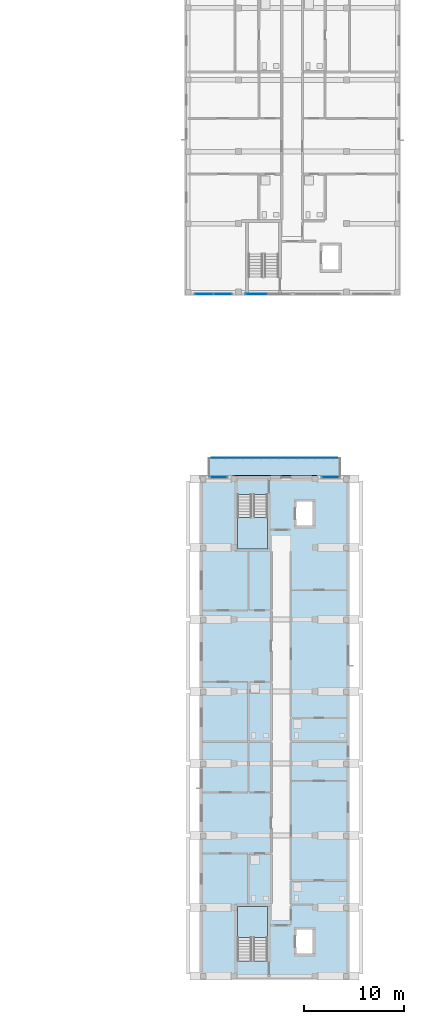
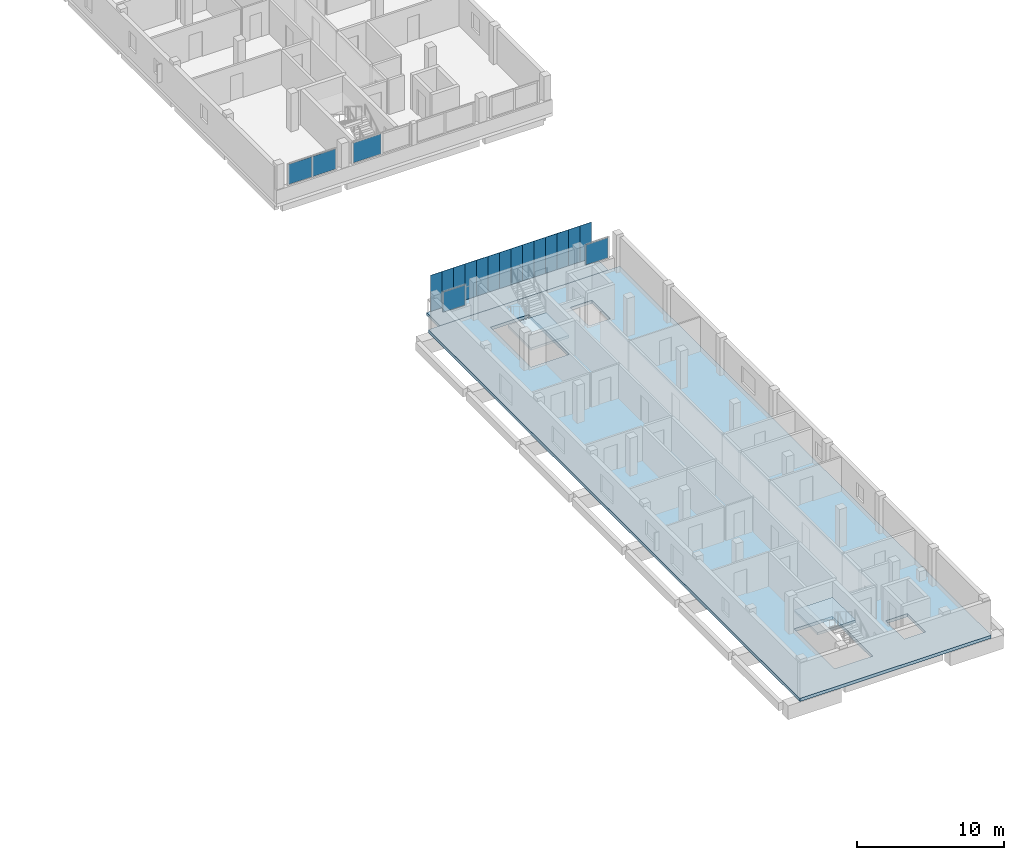
# One storey, part 11 of 38: 19 plates, 4 slabs, 6 elements without a shape of their own.
"""IFC4 building model written with IfcOpenShell, lengths in metres."""

from ifc_helpers import new_model, si_unit, derived_unit, direction, frame, origin, origin_2d, place, context, subcontext, project, spatial, polyline, rectangle, outline, extrude, material, layer, layer_set, type_object, element, aggregate, save


model = new_model("IFC4")

# Units and contexts
model_context = context("Model", 3, precision=1e-05, world=origin(), true_north=direction((0.0, 1.0)))
body_context = subcontext(model_context, "Body", "Model", "MODEL_VIEW")
ifc_project = project(units=[si_unit("LENGTHUNIT", "METRE"), si_unit("AREAUNIT", "SQUARE_METRE"), si_unit("VOLUMEUNIT", "CUBIC_METRE"), si_unit("PLANEANGLEUNIT", "RADIAN"), si_unit("MASSUNIT", "GRAM", prefix="KILO"), derived_unit("THERMALTRANSMITTANCEUNIT", [(si_unit("MASSUNIT", "GRAM", prefix="KILO"), 1), (si_unit("TIMEUNIT", "SECOND"), -3), (si_unit("THERMODYNAMICTEMPERATUREUNIT", "KELVIN"), -1)])], contexts=[model_context])

# Site, building, storey
site_placement = place(None, origin())
site = spatial("IfcSite", under=ifc_project, at=site_placement, CompositionType="ELEMENT")
building_placement = place(site_placement, origin())
building = spatial("IfcBuilding", under=site, at=building_placement, Name="Ochrekiln Boulevard Commons", CompositionType="ELEMENT")
storey_placement = place(building_placement, frame((0.0, 0.0, 24.675048828125)))
storey = spatial("IfcBuildingStorey", under=building, at=storey_placement, Name="L07", CompositionType="ELEMENT", Elevation=24.675048828125)

# Curtain wall, plate
ifc_material_1 = material(Name="Bronze-anodized extruded aluminium 6063-T6", Category="aluminium")
ifc_layer_1 = layer(ifc_material_1, 0.18408203125)
ifc_layer_set_1 = layer_set([ifc_layer_1], Name="Bronze-anodized extruded aluminium 6063-T6")
curtain_wall_type = type_object("IfcCurtainWallType", Name="CW-GABLE-B", PredefinedType="USERDEFINED", material=ifc_layer_set_1)
curtain_wall_1_placement = place(storey_placement, origin())
curtain_wall_1 = element("IfcCurtainWall", 1, at=curtain_wall_1_placement, inside=storey, type_object=curtain_wall_type, Name="Block B L07 Courtyard Glazed Gable Curtain Wall 2", ObjectType="GLAZED CURTAIN WALL", PredefinedType="USERDEFINED")
ifc_material_2 = material(Name="Spectrally selective low-E insulated glazing", Category="glass")
ifc_layer_2 = layer(ifc_material_2, 0.02392578125)
ifc_layer_set_2 = layer_set([ifc_layer_2], Name="Spectrally selective low-E insulated glazing")
plate_type_1 = type_object("IfcPlateType", Name="CWP-GLZ-1", PredefinedType="CURTAIN_PANEL", material=ifc_layer_set_2)
plate_1_placement = place(storey_placement, frame((158.38134765625, 68.570068359375, 1.1748046875), z_axis=(0.0, 0.0, 1.0), x_axis=(1.0, 0.0, 0.0)))
plate_1 = element("IfcPlate", 2, at=plate_1_placement, type_object=plate_type_1, Name="CW-02 panel 1.1", PredefinedType="CURTAIN_PANEL", context=body_context, shape_type="SweptSolid", body=[
    extrude(rectangle(XDim=2.1923828125, YDim=0.02392578125, at=origin_2d()), origin(), (0.0, 0.0, 1.0), 1.659912109375),
])
aggregate(curtain_wall_1, [plate_1])

curtain_wall_2_placement = place(storey_placement, origin())
curtain_wall_2 = element("IfcCurtainWall", 3, at=curtain_wall_2_placement, inside=storey, type_object=curtain_wall_type, Name="Block C L07 Courtyard Glazed Gable Curtain Wall 1", ObjectType="GLAZED CURTAIN WALL", PredefinedType="USERDEFINED")
ifc_layer_3 = layer(ifc_material_2, 0.030029296875)
ifc_layer_set_3 = layer_set([ifc_layer_3], Name="Spectrally selective low-E insulated glazing")
plate_type_2 = type_object("IfcPlateType", Name="CWP-GLZ-2", PredefinedType="CURTAIN_PANEL", material=ifc_layer_set_3)
plate_2_placement = place(storey_placement, frame((154.60009765625, 50.235107421875, 1.1748046875), z_axis=(0.0, 0.0, 1.0), x_axis=(1.0, 0.0, 0.0)))
plate_2 = element("IfcPlate", 4, at=plate_2_placement, type_object=plate_type_2, Name="CW-02 panel 1.1", PredefinedType="CURTAIN_PANEL", context=body_context, shape_type="SweptSolid", body=[
    extrude(rectangle(XDim=1.72998046875, YDim=0.030029296875, at=origin_2d()), origin(), (0.0, 0.0, 1.0), 1.659912109375),
])
aggregate(curtain_wall_2, [plate_2])

curtain_wall_3_placement = place(storey_placement, origin())
curtain_wall_3 = element("IfcCurtainWall", 5, at=curtain_wall_3_placement, inside=storey, type_object=curtain_wall_type, Name="Block C L07 Courtyard Glazed Gable Curtain Wall 2", ObjectType="GLAZED CURTAIN WALL", PredefinedType="USERDEFINED")
ifc_layer_4 = layer(ifc_material_2, 0.035888671875)
ifc_layer_set_4 = layer_set([ifc_layer_4], Name="Spectrally selective low-E insulated glazing")
plate_type_3 = type_object("IfcPlateType", Name="CWP-GLZ-3", PredefinedType="CURTAIN_PANEL", material=ifc_layer_set_4)
plate_3_placement = place(storey_placement, frame((165.800048828125, 50.235107421875, 1.1748046875), z_axis=(0.0, 0.0, 1.0), x_axis=(1.0, 0.0, 0.0)))
plate_3 = element("IfcPlate", 6, at=plate_3_placement, type_object=plate_type_3, Name="CW-02 panel 1.1", PredefinedType="CURTAIN_PANEL", context=body_context, shape_type="SweptSolid", body=[
    extrude(rectangle(XDim=1.72998046875, YDim=0.035888671875, at=origin_2d()), origin(), (0.0, 0.0, 1.0), 1.659912109375),
])
aggregate(curtain_wall_3, [plate_3])

# Curtain wall, plates
curtain_wall_4_placement = place(storey_placement, origin())
curtain_wall_4 = element("IfcCurtainWall", 7, at=curtain_wall_4_placement, inside=storey, type_object=curtain_wall_type, Name="Block B L07 Courtyard Glazed Gable Curtain Wall 1", ObjectType="GLAZED CURTAIN WALL", PredefinedType="USERDEFINED")
ifc_layer_5 = layer(ifc_material_2, 0.0419921875)
ifc_layer_set_5 = layer_set([ifc_layer_5], Name="Spectrally selective low-E insulated glazing")
plate_type_4 = type_object("IfcPlateType", Name="CWP-GLZ-4", PredefinedType="CURTAIN_PANEL", material=ifc_layer_set_5)
plate_4_placement = place(storey_placement, frame((153.137451171875, 68.570068359375, 1.169921875), z_axis=(0.0, 0.0, 1.0), x_axis=(1.0, 0.0, 0.0)))
plate_4 = element("IfcPlate", 8, at=plate_4_placement, type_object=plate_type_4, Name="CW-02 panel 1.1", PredefinedType="CURTAIN_PANEL", context=body_context, shape_type="SweptSolid", body=[
    extrude(rectangle(XDim=1.81494140625, YDim=0.0419921875, at=origin_2d()), origin(), (0.0, 0.0, 1.0), 1.669921875),
])
plate_5_placement = place(storey_placement, frame((155.012451171875, 68.570068359375, 1.169921875), z_axis=(0.0, 0.0, 1.0), x_axis=(1.0, 0.0, 0.0)))
plate_5 = element("IfcPlate", 9, at=plate_5_placement, type_object=plate_type_4, Name="CW-02 panel 2.1", PredefinedType="CURTAIN_PANEL", context=body_context, shape_type="SweptSolid", body=[
    extrude(rectangle(XDim=1.81494140625, YDim=0.0419921875, at=origin_2d()), origin(), (0.0, 0.0, 1.0), 1.669921875),
])
aggregate(curtain_wall_4, [plate_4, plate_5])

# Plates
ifc_layer_6 = layer(ifc_material_1, 0.02001953125)
ifc_layer_set_6 = layer_set([ifc_layer_6], Name="Bronze-anodized extruded aluminium 6063-T6")
plate_type_5 = type_object("IfcPlateType", Name="PLT-SCR-BRZ-1", PredefinedType="USERDEFINED", material=ifc_layer_set_6)
for number, where, z_axis, x_axis, name in (
    (10, (154.35009765625, 52.18994140625, -0.159912109375), (0.0, 0.0, 1.0), (1.0, 0.0, 0.0), "Block C L07 Perforated Bronze Mesh Screen Panel 1"),
    (11, (155.25, 52.18994140625, -0.159912109375), (0.0, 0.0, 1.0), (1.0, 0.0, 0.0), "Block C L07 Perforated Bronze Mesh Screen Panel 2"),
    (12, (156.14990234375, 52.18994140625, -0.159912109375), (0.0, 0.0, 1.0), (1.0, 0.0, 0.0), "Block C L07 Perforated Bronze Mesh Screen Panel 3"),
    (13, (157.050048828125, 52.18994140625, -0.159912109375), (0.0, 0.0, 1.0), (1.0, 0.0, 0.0), "Block C L07 Perforated Bronze Mesh Screen Panel 4"),
    (14, (157.949951171875, 52.18994140625, -0.159912109375), (0.0, 0.0, 1.0), (1.0, 0.0, 0.0), "Block C L07 Perforated Bronze Mesh Screen Panel 5"),
    (15, (158.85009765625, 52.18994140625, -0.159912109375), (0.0, 0.0, 1.0), (1.0, 0.0, 0.0), "Block C L07 Perforated Bronze Mesh Screen Panel 6"),
    (16, (159.75, 52.18994140625, -0.159912109375), (0.0, 0.0, 1.0), (1.0, 0.0, 0.0), "Block C L07 Perforated Bronze Mesh Screen Panel 7"),
    (17, (160.64990234375, 52.18994140625, -0.159912109375), (0.0, 0.0, 1.0), (1.0, 0.0, 0.0), "Block C L07 Perforated Bronze Mesh Screen Panel 8"),
    (18, (161.550048828125, 52.18994140625, -0.159912109375), (0.0, 0.0, 1.0), (1.0, 0.0, 0.0), "Block C L07 Perforated Bronze Mesh Screen Panel 9"),
    (19, (162.449951171875, 52.18994140625, -0.159912109375), (0.0, 0.0, 1.0), (1.0, 0.0, 0.0), "Block C L07 Perforated Bronze Mesh Screen Panel 10"),
    (20, (163.35009765625, 52.18994140625, -0.159912109375), (0.0, 0.0, 1.0), (1.0, 0.0, 0.0), "Block C L07 Perforated Bronze Mesh Screen Panel 11"),
    (21, (164.25, 52.18994140625, -0.159912109375), (0.0, 0.0, 1.0), (1.0, 0.0, 0.0), "Block C L07 Perforated Bronze Mesh Screen Panel 12"),
    (22, (165.14990234375, 52.18994140625, -0.159912109375), (0.0, 0.0, 1.0), (1.0, 0.0, 0.0), "Block C L07 Perforated Bronze Mesh Screen Panel 13"),
    (23, (166.050048828125, 52.18994140625, -0.159912109375), (0.0, 0.0, 1.0), (1.0, 0.0, 0.0), "Block C L07 Perforated Bronze Mesh Screen Panel 14"),
):
    element("IfcPlate", number, at=place(storey_placement, frame(where, z_axis=z_axis, x_axis=x_axis)), inside=storey, type_object=plate_type_5, Name=name, ObjectType="SCREEN", PredefinedType="USERDEFINED", context=body_context, shape_type="SweptSolid", body=[
        extrude(rectangle(XDim=0.8798828125, YDim=0.02001953125, at=origin_2d()), origin(), (0.0, 0.0, 1.0), 3.14990234375),
    ])

# Slab
ifc_material_3 = material(Name="Concrete C35/45", Category="concrete")
ifc_layer_7 = layer(ifc_material_3, 0.219970703125)
ifc_layer_set_7 = layer_set([ifc_layer_7], Name="Concrete C35/45")
slab_type_1 = type_object("IfcSlabType", Name="SLB-BAL-220", PredefinedType="FLOOR", material=ifc_layer_set_7)
slab_1_placement = place(storey_placement, frame((0.0, 0.0, -0.219970703125)))
element("IfcSlab", 24, at=slab_1_placement, inside=storey, type_object=slab_type_1, Name="Block C L07 Screened North Courtyard Balcony Slab", PredefinedType="FLOOR", context=body_context, shape_type="SweptSolid", body=[
    extrude(outline(polyline([(153.60009765625, 50.39990234375), (166.800048828125, 50.39990234375), (166.800048828125, 52.199951171875), (153.60009765625, 52.199951171875), (153.60009765625, 50.39990234375)])), origin(), (0.0, 0.0, 1.0), 0.219970703125),
])

# Stair, slab
stair_type = type_object("IfcStairType", Name="STR-DL-315", PredefinedType="TWO_STRAIGHT_RUN_STAIR", material=ifc_material_3)
stair_1_placement = place(storey_placement, origin())
stair_1 = element("IfcStair", 25, at=stair_1_placement, inside=storey, type_object=stair_type, Name="L07 Enclosed Exit Stair ST-C1", PredefinedType="TWO_STRAIGHT_RUN_STAIR")
ifc_layer_8 = layer(ifc_material_3, 0.199951171875)
ifc_layer_set_8 = layer_set([ifc_layer_8], Name="Concrete C35/45")
slab_type_2 = type_object("IfcSlabType", Name="SLB-LND-200", PredefinedType="LANDING", material=ifc_layer_set_8)
slab_2_placement = place(storey_placement, frame((0.0, 0.0, 1.375)))
slab_2 = element("IfcSlab", 26, at=slab_2_placement, type_object=slab_type_2, Name="ST-C1 landing 1", PredefinedType="LANDING", context=body_context, shape_type="SweptSolid", body=[
    extrude(outline(polyline([(159.5, 4.18994140625), (159.5, 7.320068359375), (156.5, 7.320068359375), (156.5, 4.18994140625), (159.5, 4.18994140625)])), origin(), (0.0, 0.0, 1.0), 0.199951171875),
])
aggregate(stair_1, [slab_2])

stair_2_placement = place(storey_placement, origin())
stair_2 = element("IfcStair", 27, at=stair_2_placement, inside=storey, type_object=stair_type, Name="L07 Enclosed Exit Stair ST-C2", PredefinedType="TWO_STRAIGHT_RUN_STAIR")
slab_3_placement = place(storey_placement, frame((0.0, 0.0, 1.375)))
slab_3 = element("IfcSlab", 28, at=slab_3_placement, type_object=slab_type_2, Name="ST-C2 landing 1", PredefinedType="LANDING", context=body_context, shape_type="SweptSolid", body=[
    extrude(outline(polyline([(156.5, 46.2099609375), (156.5, 43.080078125), (159.5, 43.080078125), (159.5, 46.2099609375), (156.5, 46.2099609375)])), origin(), (0.0, 0.0, 1.0), 0.199951171875),
])
aggregate(stair_2, [slab_3])

# Slab
ifc_layer_9 = layer(ifc_material_3, 0.260009765625)
ifc_layer_set_9 = layer_set([ifc_layer_9], Name="Concrete C35/45")
slab_type_3 = type_object("IfcSlabType", Name="SLB-RES-260", PredefinedType="FLOOR", material=ifc_layer_set_9)
slab_4_placement = place(storey_placement, frame((0.0, 0.0, -0.260009765625)))
element("IfcSlab", 29, at=slab_4_placement, inside=storey, type_object=slab_type_3, Name="Block C L07 Reinforced Concrete Floor Slab", PredefinedType="FLOOR", context=body_context, shape_type="SweptSolid", body=[
    extrude(outline(polyline([(152.699951171875, 0.0), (167.699951171875, 0.0), (167.699951171875, 50.39990234375), (152.699951171875, 50.39990234375), (152.699951171875, 0.0)]), holes=[polyline([(159.5, 1.87060546875), (159.5, 7.320068359375), (156.5, 7.320068359375), (156.5, 1.87060546875), (159.5, 1.87060546875)]), polyline([(156.5, 48.529541015625), (156.5, 43.080078125), (159.5, 43.080078125), (159.5, 48.529541015625), (156.5, 48.529541015625)]), polyline([(162.35009765625, 2.550048828125), (164.050048828125, 2.550048828125), (164.050048828125, 5.050048828125), (162.35009765625, 5.050048828125), (162.35009765625, 2.550048828125)]), polyline([(162.35009765625, 45.35009765625), (164.050048828125, 45.35009765625), (164.050048828125, 47.85009765625), (162.35009765625, 47.85009765625), (162.35009765625, 45.35009765625)])]), origin(), (0.0, 0.0, 1.0), 0.260009765625),
])

save(model, "model.ifc")
